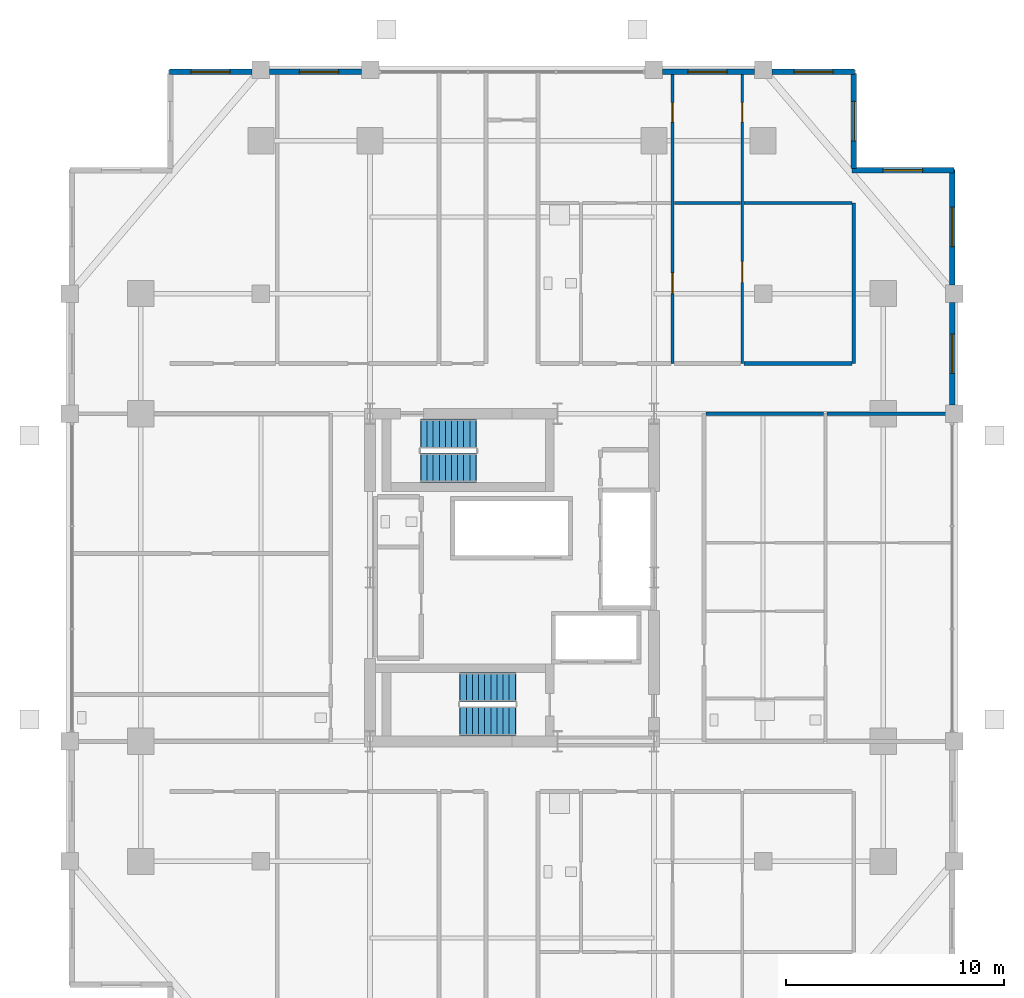
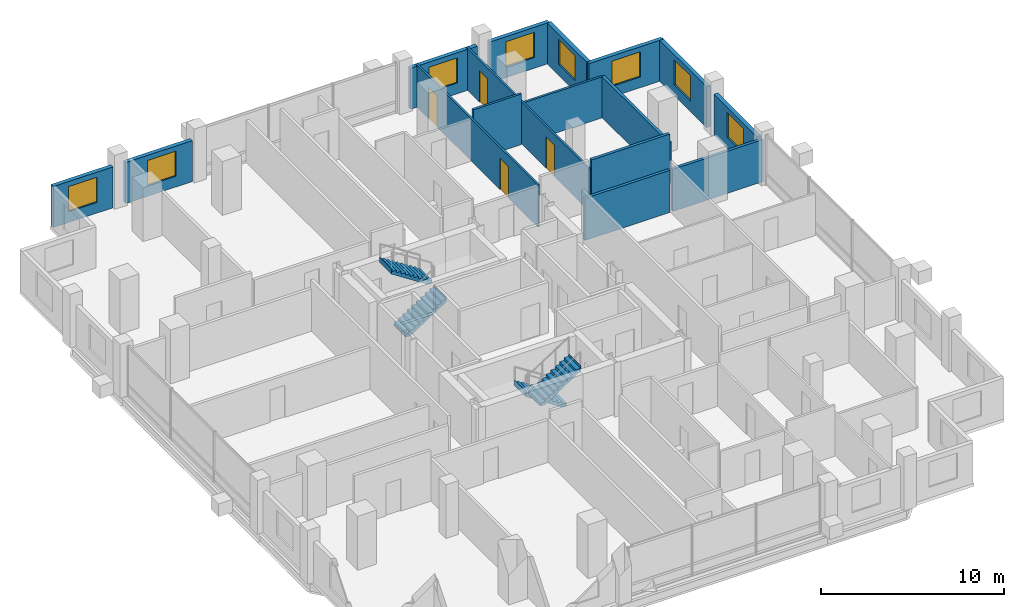
# One storey, part 17 of 19: 16 walls, 8 windows, 4 doors, 4 stair flights, 12 openings, 2 elements without a shape of their own.
"""IFC4 building model written with IfcOpenShell, lengths in metres."""

from ifc_helpers import new_model, si_unit, direction, frame, frame_2d, origin, place, context, subcontext, project, spatial, polyline, rectangle, outline, extrude, material, layer, layer_set, type_object, element, fill, aggregate, save


model = new_model("IFC4")

# Units and contexts
model_context = context("Model", 3, precision=1e-05, world=origin(), true_north=direction((0.0, 1.0)))
body_context = subcontext(model_context, "Body", "Model", "MODEL_VIEW")
ifc_project = project(units=[si_unit("LENGTHUNIT", "METRE"), si_unit("AREAUNIT", "SQUARE_METRE"), si_unit("VOLUMEUNIT", "CUBIC_METRE"), si_unit("PLANEANGLEUNIT", "RADIAN"), si_unit("MASSUNIT", "GRAM", prefix="KILO")], contexts=[model_context])

# Site, building, storey
site_placement = place(None, origin())
site = spatial("IfcSite", under=ifc_project, at=site_placement, CompositionType="ELEMENT")
building_placement = place(site_placement, origin())
building = spatial("IfcBuilding", under=site, at=building_placement, Name="Barlavira Tower and Art Museum", CompositionType="ELEMENT")
storey_placement = place(building_placement, frame((0.0, 0.0, 158.39990234375)))
storey = spatial("IfcBuildingStorey", under=building, at=storey_placement, Name="L40", CompositionType="ELEMENT", Elevation=158.39990234375)

# Wall, openings, doors
ifc_material_1 = material(Name="Gypsum acoustic stud partition", Category="gypsum")
ifc_layer_1 = layer(ifc_material_1, 0.1201171875, Name="Gypsum acoustic stud partition")
ifc_layer_set_1 = layer_set([ifc_layer_1], Name="Gypsum acoustic stud partition")
wall_type_1 = type_object("IfcWallType", Name="Apartment Internal Acoustic Partition 120", PredefinedType="PARTITIONING", material=ifc_layer_set_1)
wall_1_placement = place(storey_placement, frame((7.35009765625, 9.800048828125, 0.0), z_axis=(0.0, 0.0, 1.0), x_axis=(0.0, 1.0, 0.0)))
wall_1 = element("IfcWall", 1, at=wall_1_placement, inside=storey, type_object=wall_type_1, Name="L40 Partition Wall 16", PredefinedType="PARTITIONING", context=body_context, shape_type="SweptSolid", body=[
    extrude(rectangle(XDim=13.349853515625, YDim=0.1201171875, at=frame_2d((6.6748046875, 0.0))), origin(), (0.0, 0.0, 1.0), 2.816162109375),
])
opening_1_placement = place(wall_1_placement, frame((3.195068359375, 0.0, 0.0)))
opening_1 = element("IfcOpeningElement", 2, at=opening_1_placement, cuts=wall_1, Name="Opening D-02", PredefinedType="OPENING", context=body_context, shape_type="SweptSolid", body=[
    extrude(rectangle(XDim=0.949951171875, YDim=2.10009765625, at=frame_2d((0.47509765625, 1.050048828125))), frame((0.0, 0.070068359375, 0.0), z_axis=(0.0, -1.0, 0.0), x_axis=(1.0, 0.0, 0.0)), (0.0, 0.0, 1.0), 0.14013671875),
])
opening_2_placement = place(wall_1_placement, frame((11.051025390625, 0.0, 0.0)))
opening_2 = element("IfcOpeningElement", 3, at=opening_2_placement, cuts=wall_1, Name="Opening D-01", PredefinedType="OPENING", context=body_context, shape_type="SweptSolid", body=[
    extrude(rectangle(XDim=0.89990234375, YDim=2.10009765625, at=frame_2d((0.449951171875, 1.050048828125))), frame((0.0, 0.070068359375, 0.0), z_axis=(0.0, -1.0, 0.0), x_axis=(1.0, 0.0, 0.0)), (0.0, 0.0, 1.0), 0.14013671875),
])
ifc_material_2 = material(Name="Engineered coastal hardwood", Category="wood")
door_type_1 = type_object("IfcDoorType", Name="Internal Bedroom Timber Flush Door 900x2100", OperationType="NOTDEFINED", PredefinedType="DOOR", material=ifc_material_2)
door_1_placement = place(opening_2_placement, origin())
door_1 = element("IfcDoor", 4, at=door_1_placement, inside=storey, type_object=door_type_1, Name="Apartment NE1 Bedroom 1 Door", OperationType="SINGLE_SWING_LEFT", OverallHeight=2.10009765625, OverallWidth=0.89990234375, PredefinedType="DOOR", context=body_context, shape_type="SweptSolid", body=[
    extrude(rectangle(XDim=0.89990234375, YDim=2.10009765625, at=frame_2d((0.449951171875, 1.050048828125))), frame((0.0, 0.02490234375, 0.0), z_axis=(0.0, -1.0, 0.0), x_axis=(1.0, 0.0, 0.0)), (0.0, 0.0, 1.0), 0.050048828125),
])
fill(opening_2, door_1)
door_type_2 = type_object("IfcDoorType", Name="Living and Salon Glazed-Leaf Door 950x2100", OperationType="NOTDEFINED", PredefinedType="DOOR", material=ifc_material_2)
door_2_placement = place(opening_1_placement, origin())
door_2 = element("IfcDoor", 5, at=door_2_placement, inside=storey, type_object=door_type_2, Name="Apartment NE1 Kitchen Door", OperationType="SINGLE_SWING_RIGHT", OverallHeight=2.10009765625, OverallWidth=0.949951171875, PredefinedType="DOOR", context=body_context, shape_type="SweptSolid", body=[
    extrude(rectangle(XDim=0.949951171875, YDim=2.10009765625, at=frame_2d((0.47509765625, 1.050048828125))), frame((0.0, 0.02490234375, 0.0), z_axis=(0.0, -1.0, 0.0), x_axis=(1.0, 0.0, 0.0)), (0.0, 0.0, 1.0), 0.050048828125),
])
fill(opening_1, door_2)

wall_2_placement = place(storey_placement, frame((10.550048828125, 9.800048828125, 0.0), z_axis=(0.0, 0.0, 1.0), x_axis=(0.0, 1.0, 0.0)))
wall_2 = element("IfcWall", 6, at=wall_2_placement, inside=storey, type_object=wall_type_1, Name="L40 Partition Wall 19", PredefinedType="PARTITIONING", context=body_context, shape_type="SweptSolid", body=[
    extrude(rectangle(XDim=13.349853515625, YDim=0.1201171875, at=frame_2d((6.6748046875, 0.0))), origin(), (0.0, 0.0, 1.0), 2.816162109375),
])
opening_3_placement = place(wall_2_placement, frame((3.71337890625, 0.0, 0.0)))
opening_3 = element("IfcOpeningElement", 7, at=opening_3_placement, cuts=wall_2, Name="Opening D-02", PredefinedType="OPENING", context=body_context, shape_type="SweptSolid", body=[
    extrude(rectangle(XDim=0.949951171875, YDim=2.10009765625, at=frame_2d((0.47509765625, 1.050048828125))), frame((0.0, 0.070068359375, 0.0), z_axis=(0.0, -1.0, 0.0), x_axis=(1.0, 0.0, 0.0)), (0.0, 0.0, 1.0), 0.14013671875),
])
opening_4_placement = place(wall_2_placement, frame((11.051025390625, 0.0, 0.0)))
opening_4 = element("IfcOpeningElement", 8, at=opening_4_placement, cuts=wall_2, Name="Opening D-01", PredefinedType="OPENING", context=body_context, shape_type="SweptSolid", body=[
    extrude(rectangle(XDim=0.89990234375, YDim=2.10009765625, at=frame_2d((0.449951171875, 1.050048828125))), frame((0.0, 0.070068359375, 0.0), z_axis=(0.0, -1.0, 0.0), x_axis=(1.0, 0.0, 0.0)), (0.0, 0.0, 1.0), 0.14013671875),
])
door_3_placement = place(opening_4_placement, origin())
door_3 = element("IfcDoor", 9, at=door_3_placement, inside=storey, type_object=door_type_1, Name="Apartment NE1 Bedroom 2 Door", OperationType="SINGLE_SWING_RIGHT", OverallHeight=2.10009765625, OverallWidth=0.89990234375, PredefinedType="DOOR", context=body_context, shape_type="SweptSolid", body=[
    extrude(rectangle(XDim=0.89990234375, YDim=2.10009765625, at=frame_2d((0.449951171875, 1.050048828125))), frame((0.0, 0.02490234375, 0.0), z_axis=(0.0, -1.0, 0.0), x_axis=(1.0, 0.0, 0.0)), (0.0, 0.0, 1.0), 0.050048828125),
])
fill(opening_4, door_3)
door_4_placement = place(opening_3_placement, origin())
door_4 = element("IfcDoor", 10, at=door_4_placement, inside=storey, type_object=door_type_2, Name="Apartment NE1 Dining Salon Door", OperationType="SINGLE_SWING_LEFT", OverallHeight=2.10009765625, OverallWidth=0.949951171875, PredefinedType="DOOR", context=body_context, shape_type="SweptSolid", body=[
    extrude(rectangle(XDim=0.949951171875, YDim=2.10009765625, at=frame_2d((0.47509765625, 1.050048828125))), frame((0.0, 0.02490234375, 0.0), z_axis=(0.0, -1.0, 0.0), x_axis=(1.0, 0.0, 0.0)), (0.0, 0.0, 1.0), 0.050048828125),
])
fill(opening_3, door_4)

# Walls
ifc_layer_2 = layer(ifc_material_1, 0.179931640625, Name="Gypsum acoustic stud partition")
ifc_layer_set_2 = layer_set([ifc_layer_2], Name="Gypsum acoustic stud partition")
wall_type_2 = type_object("IfcWallType", Name="Inter-Tenancy Party Partition Wall 180", PredefinedType="PARTITIONING", material=ifc_layer_set_2)
wall_3_placement = place(storey_placement, frame((15.64990234375, 9.800048828125, 0.0), z_axis=(0.0, 0.0, 1.0), x_axis=(0.0, 1.0, 0.0)))
element("IfcWall", 11, at=wall_3_placement, inside=storey, type_object=wall_type_2, Name="L40 Partition Wall 22", PredefinedType="PARTITIONING", context=body_context, shape_type="SweptSolid", body=[
    extrude(rectangle(XDim=7.349853515625, YDim=0.179931640625, at=frame_2d((3.6748046875, 0.0))), origin(), (0.0, 0.0, 1.0), 2.736083984375),
])
wall_4_placement = place(storey_placement, frame((8.8798828125, 7.5, 0.0), z_axis=(0.0, 0.0, 1.0), x_axis=(1.0, 0.0, 0.0)))
element("IfcWall", 12, at=wall_4_placement, inside=storey, type_object=wall_type_2, Name="L40 Partition Wall 49", PredefinedType="PARTITIONING", context=body_context, shape_type="SweptSolid", body=[
    extrude(rectangle(XDim=5.39013671875, YDim=0.179931640625, at=frame_2d((2.695068359375, 0.0))), origin(), (0.0, 0.0, 1.0), 2.816162109375),
])
wall_5_placement = place(storey_placement, frame((14.429931640625, 7.5, 0.0), z_axis=(0.0, 0.0, 1.0), x_axis=(1.0, 0.0, 0.0)))
element("IfcWall", 13, at=wall_5_placement, inside=storey, type_object=wall_type_2, Name="L40 Partition Wall 50", PredefinedType="PARTITIONING", context=body_context, shape_type="SweptSolid", body=[
    extrude(rectangle(XDim=5.719970703125, YDim=0.179931640625, at=frame_2d((2.85986328125, 0.0))), origin(), (0.0, 0.0, 1.0), 2.816162109375),
])
wall_6_placement = place(storey_placement, frame((10.6298828125, 9.800048828125, 0.0), z_axis=(0.0, 0.0, 1.0), x_axis=(1.0, 0.0, 0.0)))
element("IfcWall", 14, at=wall_6_placement, inside=storey, type_object=wall_type_2, Name="L40 Partition Wall 57", PredefinedType="PARTITIONING", context=body_context, shape_type="SweptSolid", body=[
    extrude(rectangle(XDim=4.940185546875, YDim=0.179931640625, at=frame_2d((2.47021484375, 0.0))), origin(), (0.0, 0.0, 1.0), 3.380126953125),
])
ifc_layer_3 = layer(ifc_material_1, 0.139892578125, Name="Gypsum acoustic stud partition")
ifc_layer_set_3 = layer_set([ifc_layer_3], Name="Gypsum acoustic stud partition")
wall_type_3 = type_object("IfcWallType", Name="Moisture-Resistant Bathroom Partition 140", PredefinedType="PARTITIONING", material=ifc_layer_set_3)
wall_7_placement = place(storey_placement, frame((7.429931640625, 17.14990234375, 0.0), z_axis=(0.0, 0.0, 1.0), x_axis=(1.0, 0.0, 0.0)))
element("IfcWall", 15, at=wall_7_placement, inside=storey, type_object=wall_type_3, Name="L40 Partition Wall 60", PredefinedType="PARTITIONING", context=body_context, shape_type="SweptSolid", body=[
    extrude(rectangle(XDim=3.0400390625, YDim=0.139892578125, at=frame_2d((1.52001953125, 0.0))), origin(), (0.0, 0.0, 1.0), 3.380126953125),
])
wall_8_placement = place(storey_placement, frame((10.6298828125, 17.14990234375, 0.0), z_axis=(0.0, 0.0, 1.0), x_axis=(1.0, 0.0, 0.0)))
element("IfcWall", 16, at=wall_8_placement, inside=storey, type_object=wall_type_3, Name="L40 Partition Wall 61", PredefinedType="PARTITIONING", context=body_context, shape_type="SweptSolid", body=[
    extrude(rectangle(XDim=4.940185546875, YDim=0.139892578125, at=frame_2d((2.47021484375, 0.0))), origin(), (0.0, 0.0, 1.0), 2.736083984375),
])

# Wall, opening, window
ifc_material_3 = material(Name="Precast concrete C40", Category="concrete")
ifc_layer_4 = layer(ifc_material_3, 0.25, Name="Precast concrete C40")
ifc_layer_set_4 = layer_set([ifc_layer_4], Name="Precast concrete C40")
wall_type_4 = type_object("IfcWallType", Name="Notched Corner Spandrel Wall 250 Precast Concrete C40", PredefinedType="SOLIDWALL", material=ifc_layer_set_4)
wall_9_placement = place(storey_placement, frame((15.675048828125, 23.14990234375, 0.0), z_axis=(0.0, 0.0, 1.0), x_axis=(-1.0, 0.0, 0.0)))
wall_9 = element("IfcWall", 17, at=wall_9_placement, inside=storey, type_object=wall_type_4, Name="L40 Coastal Facade Pier Wall CW2-L40-N-1", PredefinedType="SOLIDWALL", context=body_context, shape_type="SweptSolid", body=[
    extrude(rectangle(XDim=3.780029296875, YDim=0.25, at=frame_2d((1.89013671875, 0.0))), origin(), (0.0, 0.0, 1.0), 2.736083984375),
])
opening_5_placement = place(wall_9_placement, frame((0.968017578125, 0.0, 0.719970703125)))
opening_5 = element("IfcOpeningElement", 18, at=opening_5_placement, cuts=wall_9, Name="Opening WN-01", PredefinedType="OPENING", context=body_context, shape_type="SweptSolid", body=[
    extrude(rectangle(XDim=1.800048828125, YDim=1.679931640625, at=frame_2d((0.89990234375, 0.83984375))), frame((0.0, 0.135009765625, 0.0), z_axis=(0.0, -1.0, 0.0), x_axis=(1.0, 0.0, 0.0)), (0.0, 0.0, 1.0), 0.27001953125),
])
ifc_material_4 = material(Name="Low-iron coastal laminated glass", Category="glass")
window_type = type_object("IfcWindowType", Name="Recessed Notch Corner Punch Window 1800x1680", PartitioningType="SINGLE_PANEL", PredefinedType="WINDOW", material=ifc_material_4)
window_1_placement = place(opening_5_placement, origin())
window_1 = element("IfcWindow", 19, at=window_1_placement, inside=storey, type_object=window_type, Name="L40 Punched Facade Window EWP-CW2-L40-N-1-1", OverallHeight=1.679931640625, OverallWidth=1.800048828125, PartitioningType="SINGLE_PANEL", PredefinedType="WINDOW", context=body_context, shape_type="SweptSolid", body=[
    extrude(rectangle(XDim=1.800048828125, YDim=1.679931640625, at=frame_2d((0.89990234375, 0.83984375))), frame((0.0, 0.030029296875, 0.0), z_axis=(0.0, -1.0, 0.0), x_axis=(1.0, 0.0, 0.0)), (0.0, 0.0, 1.0), 0.06005859375),
])
fill(opening_5, window_1)

wall_10_placement = place(storey_placement, frame((11.10498046875, 23.14990234375, 0.0), z_axis=(0.0, 0.0, 1.0), x_axis=(-1.0, 0.0, 0.0)))
wall_10 = element("IfcWall", 20, at=wall_10_placement, inside=storey, type_object=wall_type_4, Name="L40 Coastal Facade Pier Wall CW2-L40-N-2", PredefinedType="SOLIDWALL", context=body_context, shape_type="SweptSolid", body=[
    extrude(rectangle(XDim=4.2099609375, YDim=0.25, at=frame_2d((2.10498046875, 0.0))), origin(), (0.0, 0.0, 1.0), 2.736083984375),
])
opening_6_placement = place(wall_10_placement, frame((1.2548828125, 0.0, 0.719970703125)))
opening_6 = element("IfcOpeningElement", 21, at=opening_6_placement, cuts=wall_10, Name="Opening WN-01", PredefinedType="OPENING", context=body_context, shape_type="SweptSolid", body=[
    extrude(rectangle(XDim=1.800048828125, YDim=1.679931640625, at=frame_2d((0.89990234375, 0.83984375))), frame((0.0, 0.135009765625, 0.0), z_axis=(0.0, -1.0, 0.0), x_axis=(1.0, 0.0, 0.0)), (0.0, 0.0, 1.0), 0.27001953125),
])
window_2_placement = place(opening_6_placement, origin())
window_2 = element("IfcWindow", 22, at=window_2_placement, inside=storey, type_object=window_type, Name="L40 Punched Facade Window EWP-CW2-L40-N-2-1", OverallHeight=1.679931640625, OverallWidth=1.800048828125, PartitioningType="SINGLE_PANEL", PredefinedType="WINDOW", context=body_context, shape_type="SweptSolid", body=[
    extrude(rectangle(XDim=1.800048828125, YDim=1.679931640625, at=frame_2d((0.89990234375, 0.83984375))), frame((0.0, 0.030029296875, 0.0), z_axis=(0.0, -1.0, 0.0), x_axis=(1.0, 0.0, 0.0)), (0.0, 0.0, 1.0), 0.06005859375),
])
fill(opening_6, window_2)

wall_11_placement = place(storey_placement, frame((-6.89501953125, 23.14990234375, 0.0), z_axis=(0.0, 0.0, 1.0), x_axis=(-1.0, 0.0, 0.0)))
wall_11 = element("IfcWall", 23, at=wall_11_placement, inside=storey, type_object=wall_type_4, Name="L40 Coastal Facade Pier Wall CW2-L40-N-4", PredefinedType="SOLIDWALL", context=body_context, shape_type="SweptSolid", body=[
    extrude(rectangle(XDim=4.2099609375, YDim=0.25, at=frame_2d((2.10498046875, 0.0))), origin(), (0.0, 0.0, 1.0), 2.736083984375),
])
opening_7_placement = place(wall_11_placement, frame((1.044921875, 0.0, 0.719970703125)))
opening_7 = element("IfcOpeningElement", 24, at=opening_7_placement, cuts=wall_11, Name="Opening WN-01", PredefinedType="OPENING", context=body_context, shape_type="SweptSolid", body=[
    extrude(rectangle(XDim=1.800048828125, YDim=1.679931640625, at=frame_2d((0.89990234375, 0.83984375))), frame((0.0, 0.135009765625, 0.0), z_axis=(0.0, -1.0, 0.0), x_axis=(1.0, 0.0, 0.0)), (0.0, 0.0, 1.0), 0.27001953125),
])
window_3_placement = place(opening_7_placement, origin())
window_3 = element("IfcWindow", 25, at=window_3_placement, inside=storey, type_object=window_type, Name="L40 Punched Facade Window EWP-CW2-L40-N-4-1", OverallHeight=1.679931640625, OverallWidth=1.800048828125, PartitioningType="SINGLE_PANEL", PredefinedType="WINDOW", context=body_context, shape_type="SweptSolid", body=[
    extrude(rectangle(XDim=1.800048828125, YDim=1.679931640625, at=frame_2d((0.89990234375, 0.83984375))), frame((0.0, 0.030029296875, 0.0), z_axis=(0.0, -1.0, 0.0), x_axis=(1.0, 0.0, 0.0)), (0.0, 0.0, 1.0), 0.06005859375),
])
fill(opening_7, window_3)

wall_12_placement = place(storey_placement, frame((-11.89501953125, 23.14990234375, 0.0), z_axis=(0.0, 0.0, 1.0), x_axis=(-1.0, 0.0, 0.0)))
wall_12 = element("IfcWall", 26, at=wall_12_placement, inside=storey, type_object=wall_type_4, Name="L40 Coastal Facade Pier Wall CW2-L40-N-5", PredefinedType="SOLIDWALL", context=body_context, shape_type="SweptSolid", body=[
    extrude(rectangle(XDim=3.780029296875, YDim=0.25, at=frame_2d((1.89013671875, 0.0))), origin(), (0.0, 0.0, 1.0), 2.736083984375),
])
opening_8_placement = place(wall_12_placement, frame((1.012939453125, 0.0, 0.719970703125)))
opening_8 = element("IfcOpeningElement", 27, at=opening_8_placement, cuts=wall_12, Name="Opening WN-01", PredefinedType="OPENING", context=body_context, shape_type="SweptSolid", body=[
    extrude(rectangle(XDim=1.800048828125, YDim=1.679931640625, at=frame_2d((0.89990234375, 0.83984375))), frame((0.0, 0.135009765625, 0.0), z_axis=(0.0, -1.0, 0.0), x_axis=(1.0, 0.0, 0.0)), (0.0, 0.0, 1.0), 0.27001953125),
])
window_4_placement = place(opening_8_placement, origin())
window_4 = element("IfcWindow", 28, at=window_4_placement, inside=storey, type_object=window_type, Name="L40 Punched Facade Window EWP-CW2-L40-N-5-1", OverallHeight=1.679931640625, OverallWidth=1.800048828125, PartitioningType="SINGLE_PANEL", PredefinedType="WINDOW", context=body_context, shape_type="SweptSolid", body=[
    extrude(rectangle(XDim=1.800048828125, YDim=1.679931640625, at=frame_2d((0.89990234375, 0.83984375))), frame((0.0, 0.030029296875, 0.0), z_axis=(0.0, -1.0, 0.0), x_axis=(1.0, 0.0, 0.0)), (0.0, 0.0, 1.0), 0.06005859375),
])
fill(opening_8, window_4)

wall_13_placement = place(storey_placement, frame((20.14990234375, 7.89501953125, 0.0), z_axis=(0.0, 0.0, 1.0), x_axis=(0.0, 1.0, 0.0)))
wall_13 = element("IfcWall", 29, at=wall_13_placement, inside=storey, type_object=wall_type_4, Name="L40 Coastal Facade Pier Wall CW2-L40-E-4", PredefinedType="SOLIDWALL", context=body_context, shape_type="SweptSolid", body=[
    extrude(rectangle(XDim=4.7099609375, YDim=0.25, at=frame_2d((2.35498046875, 0.0))), origin(), (0.0, 0.0, 1.0), 2.736083984375),
])
opening_9_placement = place(wall_13_placement, frame((1.455078125, 0.0, 0.719970703125)))
opening_9 = element("IfcOpeningElement", 30, at=opening_9_placement, cuts=wall_13, Name="Opening WN-01", PredefinedType="OPENING", context=body_context, shape_type="SweptSolid", body=[
    extrude(rectangle(XDim=1.800048828125, YDim=1.679931640625, at=frame_2d((0.89990234375, 0.83984375))), frame((0.0, 0.135009765625, 0.0), z_axis=(0.0, -1.0, 0.0), x_axis=(1.0, 0.0, 0.0)), (0.0, 0.0, 1.0), 0.27001953125),
])
window_5_placement = place(opening_9_placement, origin())
window_5 = element("IfcWindow", 31, at=window_5_placement, inside=storey, type_object=window_type, Name="L40 Punched Facade Window EWP-CW2-L40-E-4-1", OverallHeight=1.679931640625, OverallWidth=1.800048828125, PartitioningType="SINGLE_PANEL", PredefinedType="WINDOW", context=body_context, shape_type="SweptSolid", body=[
    extrude(rectangle(XDim=1.800048828125, YDim=1.679931640625, at=frame_2d((0.89990234375, 0.83984375))), frame((0.0, 0.030029296875, 0.0), z_axis=(0.0, -1.0, 0.0), x_axis=(1.0, 0.0, 0.0)), (0.0, 0.0, 1.0), 0.06005859375),
])
fill(opening_9, window_5)

wall_14_placement = place(storey_placement, frame((20.14990234375, 13.39501953125, 0.0), z_axis=(0.0, 0.0, 1.0), x_axis=(0.0, 1.0, 0.0)))
wall_14 = element("IfcWall", 32, at=wall_14_placement, inside=storey, type_object=wall_type_4, Name="L40 Coastal Facade Pier Wall CW2-L40-E-5", PredefinedType="SOLIDWALL", context=body_context, shape_type="SweptSolid", body=[
    extrude(rectangle(XDim=5.280029296875, YDim=0.25, at=frame_2d((2.64013671875, 0.0))), origin(), (0.0, 0.0, 1.0), 2.736083984375),
])
opening_10_placement = place(wall_14_placement, frame((1.762939453125, 0.0, 0.719970703125)))
opening_10 = element("IfcOpeningElement", 33, at=opening_10_placement, cuts=wall_14, Name="Opening WN-01", PredefinedType="OPENING", context=body_context, shape_type="SweptSolid", body=[
    extrude(rectangle(XDim=1.800048828125, YDim=1.679931640625, at=frame_2d((0.89990234375, 0.83984375))), frame((0.0, 0.135009765625, 0.0), z_axis=(0.0, -1.0, 0.0), x_axis=(1.0, 0.0, 0.0)), (0.0, 0.0, 1.0), 0.27001953125),
])
window_6_placement = place(opening_10_placement, origin())
window_6 = element("IfcWindow", 34, at=window_6_placement, inside=storey, type_object=window_type, Name="L40 Punched Facade Window EWP-CW2-L40-E-5-1", OverallHeight=1.679931640625, OverallWidth=1.800048828125, PartitioningType="SINGLE_PANEL", PredefinedType="WINDOW", context=body_context, shape_type="SweptSolid", body=[
    extrude(rectangle(XDim=1.800048828125, YDim=1.679931640625, at=frame_2d((0.89990234375, 0.83984375))), frame((0.0, 0.030029296875, 0.0), z_axis=(0.0, -1.0, 0.0), x_axis=(1.0, 0.0, 0.0)), (0.0, 0.0, 1.0), 0.06005859375),
])
fill(opening_10, window_6)

wall_15_placement = place(storey_placement, frame((20.22998046875, 18.64990234375, 0.0), z_axis=(0.0, 0.0, 1.0), x_axis=(-1.0, 0.0, 0.0)))
wall_15 = element("IfcWall", 35, at=wall_15_placement, inside=storey, type_object=wall_type_4, Name="L40 Notch Corner Wall NE1", PredefinedType="SOLIDWALL", context=body_context, shape_type="SweptSolid", body=[
    extrude(rectangle(XDim=4.659912109375, YDim=0.25, at=frame_2d((2.330078125, 0.0))), origin(), (0.0, 0.0, 1.0), 2.736083984375),
])
opening_11_placement = place(wall_15_placement, frame((1.429931640625, 0.0, 0.719970703125)))
opening_11 = element("IfcOpeningElement", 36, at=opening_11_placement, cuts=wall_15, Name="Opening WN-01", PredefinedType="OPENING", context=body_context, shape_type="SweptSolid", body=[
    extrude(rectangle(XDim=1.800048828125, YDim=1.679931640625, at=frame_2d((0.89990234375, 0.83984375))), frame((0.0, 0.135009765625, 0.0), z_axis=(0.0, -1.0, 0.0), x_axis=(1.0, 0.0, 0.0)), (0.0, 0.0, 1.0), 0.27001953125),
])
window_7_placement = place(opening_11_placement, origin())
window_7 = element("IfcWindow", 37, at=window_7_placement, inside=storey, type_object=window_type, Name="L40 Punched Facade Window EW-NTC-L40-NE1-1", OverallHeight=1.679931640625, OverallWidth=1.800048828125, PartitioningType="SINGLE_PANEL", PredefinedType="WINDOW", context=body_context, shape_type="SweptSolid", body=[
    extrude(rectangle(XDim=1.800048828125, YDim=1.679931640625, at=frame_2d((0.89990234375, 0.83984375))), frame((0.0, 0.030029296875, 0.0), z_axis=(0.0, -1.0, 0.0), x_axis=(1.0, 0.0, 0.0)), (0.0, 0.0, 1.0), 0.06005859375),
])
fill(opening_11, window_7)

wall_16_placement = place(storey_placement, frame((15.64990234375, 18.72998046875, 0.0), z_axis=(0.0, 0.0, 1.0), x_axis=(0.0, 1.0, 0.0)))
wall_16 = element("IfcWall", 38, at=wall_16_placement, inside=storey, type_object=wall_type_4, Name="L40 Notch Corner Wall NE2", PredefinedType="SOLIDWALL", context=body_context, shape_type="SweptSolid", body=[
    extrude(rectangle(XDim=4.340087890625, YDim=0.25, at=frame_2d((2.169921875, 0.0))), origin(), (0.0, 0.0, 1.0), 2.736083984375),
])
opening_12_placement = place(wall_16_placement, frame((1.27001953125, 0.0, 0.719970703125)))
opening_12 = element("IfcOpeningElement", 39, at=opening_12_placement, cuts=wall_16, Name="Opening WN-01", PredefinedType="OPENING", context=body_context, shape_type="SweptSolid", body=[
    extrude(rectangle(XDim=1.800048828125, YDim=1.679931640625, at=frame_2d((0.89990234375, 0.83984375))), frame((0.0, 0.135009765625, 0.0), z_axis=(0.0, -1.0, 0.0), x_axis=(1.0, 0.0, 0.0)), (0.0, 0.0, 1.0), 0.27001953125),
])
window_8_placement = place(opening_12_placement, origin())
window_8 = element("IfcWindow", 40, at=window_8_placement, inside=storey, type_object=window_type, Name="L40 Punched Facade Window EW-NTC-L40-NE2-1", OverallHeight=1.679931640625, OverallWidth=1.800048828125, PartitioningType="SINGLE_PANEL", PredefinedType="WINDOW", context=body_context, shape_type="SweptSolid", body=[
    extrude(rectangle(XDim=1.800048828125, YDim=1.679931640625, at=frame_2d((0.89990234375, 0.83984375))), frame((0.0, 0.030029296875, 0.0), z_axis=(0.0, -1.0, 0.0), x_axis=(1.0, 0.0, 0.0)), (0.0, 0.0, 1.0), 0.06005859375),
])
fill(opening_12, window_8)

# Stair, stair flights
ifc_material_5 = material(Name="Concrete C45", Category="concrete")
stair_type_1 = type_object("IfcStairType", Name="Tower North Dog-Leg Exit Stair Assembly Concrete C45", PredefinedType="TWO_QUARTER_TURN_STAIR", material=ifc_material_5)
stair_1_placement = place(storey_placement, origin())
stair_1 = element("IfcStair", 41, at=stair_1_placement, inside=storey, type_object=stair_type_1, Name="L40 Tower North Exit Stair ST-T2", PredefinedType="TWO_QUARTER_TURN_STAIR")
ifc_material_6 = material(Name="Precast concrete C45", Category="concrete")
stair_flight_type_1 = type_object("IfcStairFlightType", Name="Tower North Dog-Leg Exit Stair Precast Flight 1350 Concrete C45", PredefinedType="STRAIGHT", material=ifc_material_6)
stair_flight_1_placement = place(storey_placement, frame((-4.169921875, 5.02490234375, 0.0), z_axis=(0.0, 0.0, 1.0), x_axis=(1.0, 0.0, 0.0)))
stair_flight_1 = element("IfcStairFlight", 42, at=stair_flight_1_placement, type_object=stair_flight_type_1, Name="ST-T2 flight 1", NumberOfRisers=10, NumberOfTreads=9, PredefinedType="STRAIGHT", RiserHeight=0.18, TreadLength=0.28, context=body_context, shape_type="SweptSolid", body=[
    extrude(outline(polyline([(-0.02490234375, 0.0), (0.0, 0.0), (0.0, 0.179931640625), (0.280029296875, 0.179931640625), (0.280029296875, 0.360107421875), (0.56005859375, 0.360107421875), (0.56005859375, 0.5400390625), (0.840087890625, 0.5400390625), (0.840087890625, 0.719970703125), (1.1201171875, 0.719970703125), (1.1201171875, 0.89990234375), (1.39990234375, 0.89990234375), (1.39990234375, 1.080078125), (1.679931640625, 1.080078125), (1.679931640625, 1.260009765625), (1.9599609375, 1.260009765625), (1.9599609375, 1.43994140625), (2.239990234375, 1.43994140625), (2.239990234375, 1.6201171875), (2.52001953125, 1.6201171875), (2.52001953125, 1.800048828125), (2.544921875, 1.800048828125), (2.544921875, 1.44189453125), (2.52001953125, 1.44189453125), (0.277099609375, -0.02490234375), (-0.02490234375, -0.02490234375), (-0.02490234375, 0.0)])), frame((0.0, 0.675048828125, 0.0), z_axis=(0.0, -1.0, 0.0), x_axis=(1.0, 0.0, 0.0)), (0.0, 0.0, 1.0), 1.35009765625),
])
stair_flight_2_placement = place(storey_placement, frame((-1.64990234375, 6.574951171875, 1.800048828125), z_axis=(0.0, 0.0, 1.0), x_axis=(-1.0, 0.0, 0.0)))
stair_flight_2 = element("IfcStairFlight", 43, at=stair_flight_2_placement, type_object=stair_flight_type_1, Name="ST-T2 flight 2", NumberOfRisers=10, NumberOfTreads=9, PredefinedType="STRAIGHT", RiserHeight=0.18, TreadLength=0.28, context=body_context, shape_type="SweptSolid", body=[
    extrude(outline(polyline([(-0.02490234375, 0.0), (0.0, 0.0), (0.0, 0.179931640625), (0.280029296875, 0.179931640625), (0.280029296875, 0.360107421875), (0.56005859375, 0.360107421875), (0.56005859375, 0.5400390625), (0.840087890625, 0.5400390625), (0.840087890625, 0.719970703125), (1.1201171875, 0.719970703125), (1.1201171875, 0.89990234375), (1.39990234375, 0.89990234375), (1.39990234375, 1.080078125), (1.679931640625, 1.080078125), (1.679931640625, 1.260009765625), (1.9599609375, 1.260009765625), (1.9599609375, 1.43994140625), (2.239990234375, 1.43994140625), (2.239990234375, 1.6201171875), (2.52001953125, 1.6201171875), (2.52001953125, 1.800048828125), (2.544921875, 1.800048828125), (2.544921875, 1.44189453125), (2.52001953125, 1.44189453125), (0.277099609375, -0.02490234375), (-0.02490234375, -0.02490234375), (-0.02490234375, 0.0)])), frame((0.0, 0.675048828125, 0.0), z_axis=(0.0, -1.0, 0.0), x_axis=(1.0, 0.0, 0.0)), (0.0, 0.0, 1.0), 1.35009765625),
])
aggregate(stair_1, [stair_flight_1, stair_flight_2])

stair_type_2 = type_object("IfcStairType", Name="Tower South Dog-Leg Exit Stair Assembly Concrete C45", PredefinedType="TWO_QUARTER_TURN_STAIR", material=ifc_material_5)
stair_2_placement = place(storey_placement, origin())
stair_2 = element("IfcStair", 44, at=stair_2_placement, inside=storey, type_object=stair_type_2, Name="L40 Tower South Exit Stair ST-T1", PredefinedType="TWO_QUARTER_TURN_STAIR")
stair_flight_type_2 = type_object("IfcStairFlightType", Name="Tower South Dog-Leg Exit Stair Precast Flight 1350 Concrete C45", PredefinedType="STRAIGHT", material=ifc_material_6)
stair_flight_3_placement = place(storey_placement, frame((0.14990234375, -5.02490234375, 0.0), z_axis=(0.0, 0.0, 1.0), x_axis=(-1.0, 0.0, 0.0)))
stair_flight_3 = element("IfcStairFlight", 45, at=stair_flight_3_placement, type_object=stair_flight_type_2, Name="ST-T1 flight 1", NumberOfRisers=10, NumberOfTreads=9, PredefinedType="STRAIGHT", RiserHeight=0.18, TreadLength=0.28, context=body_context, shape_type="SweptSolid", body=[
    extrude(outline(polyline([(-0.02490234375, 0.0), (0.0, 0.0), (0.0, 0.179931640625), (0.280029296875, 0.179931640625), (0.280029296875, 0.360107421875), (0.56005859375, 0.360107421875), (0.56005859375, 0.5400390625), (0.840087890625, 0.5400390625), (0.840087890625, 0.719970703125), (1.1201171875, 0.719970703125), (1.1201171875, 0.89990234375), (1.39990234375, 0.89990234375), (1.39990234375, 1.080078125), (1.679931640625, 1.080078125), (1.679931640625, 1.260009765625), (1.9599609375, 1.260009765625), (1.9599609375, 1.43994140625), (2.239990234375, 1.43994140625), (2.239990234375, 1.6201171875), (2.52001953125, 1.6201171875), (2.52001953125, 1.800048828125), (2.544921875, 1.800048828125), (2.544921875, 1.44189453125), (2.52001953125, 1.44189453125), (0.277099609375, -0.02490234375), (-0.02490234375, -0.02490234375), (-0.02490234375, 0.0)])), frame((0.0, 0.675048828125, 0.0), z_axis=(0.0, -1.0, 0.0), x_axis=(1.0, 0.0, 0.0)), (0.0, 0.0, 1.0), 1.35009765625),
])
stair_flight_4_placement = place(storey_placement, frame((-2.3701171875, -6.574951171875, 1.800048828125), z_axis=(0.0, 0.0, 1.0), x_axis=(1.0, 0.0, 0.0)))
stair_flight_4 = element("IfcStairFlight", 46, at=stair_flight_4_placement, type_object=stair_flight_type_2, Name="ST-T1 flight 2", NumberOfRisers=10, NumberOfTreads=9, PredefinedType="STRAIGHT", RiserHeight=0.18, TreadLength=0.28, context=body_context, shape_type="SweptSolid", body=[
    extrude(outline(polyline([(-0.02490234375, 0.0), (0.0, 0.0), (0.0, 0.179931640625), (0.280029296875, 0.179931640625), (0.280029296875, 0.360107421875), (0.56005859375, 0.360107421875), (0.56005859375, 0.5400390625), (0.840087890625, 0.5400390625), (0.840087890625, 0.719970703125), (1.1201171875, 0.719970703125), (1.1201171875, 0.89990234375), (1.39990234375, 0.89990234375), (1.39990234375, 1.080078125), (1.679931640625, 1.080078125), (1.679931640625, 1.260009765625), (1.9599609375, 1.260009765625), (1.9599609375, 1.43994140625), (2.239990234375, 1.43994140625), (2.239990234375, 1.6201171875), (2.52001953125, 1.6201171875), (2.52001953125, 1.800048828125), (2.544921875, 1.800048828125), (2.544921875, 1.44189453125), (2.52001953125, 1.44189453125), (0.277099609375, -0.02490234375), (-0.02490234375, -0.02490234375), (-0.02490234375, 0.0)])), frame((0.0, 0.675048828125, 0.0), z_axis=(0.0, -1.0, 0.0), x_axis=(1.0, 0.0, 0.0)), (0.0, 0.0, 1.0), 1.35009765625),
])
aggregate(stair_2, [stair_flight_3, stair_flight_4])

save(model, "model.ifc")
